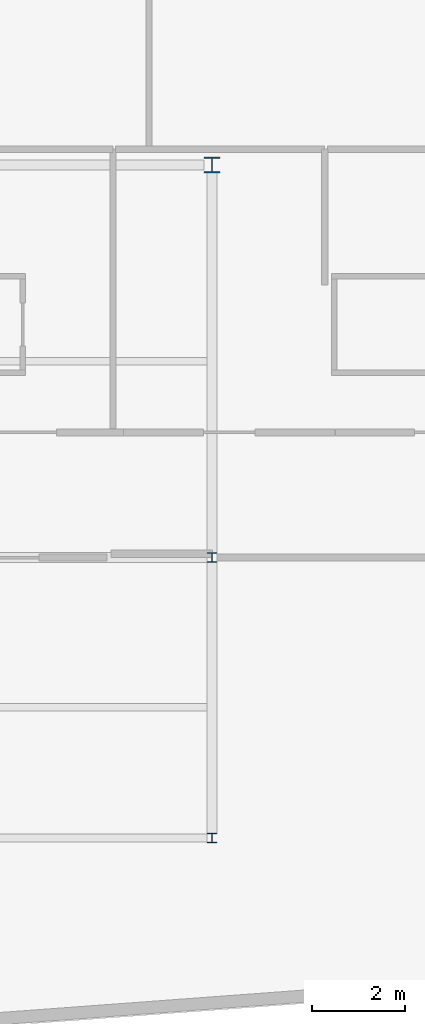
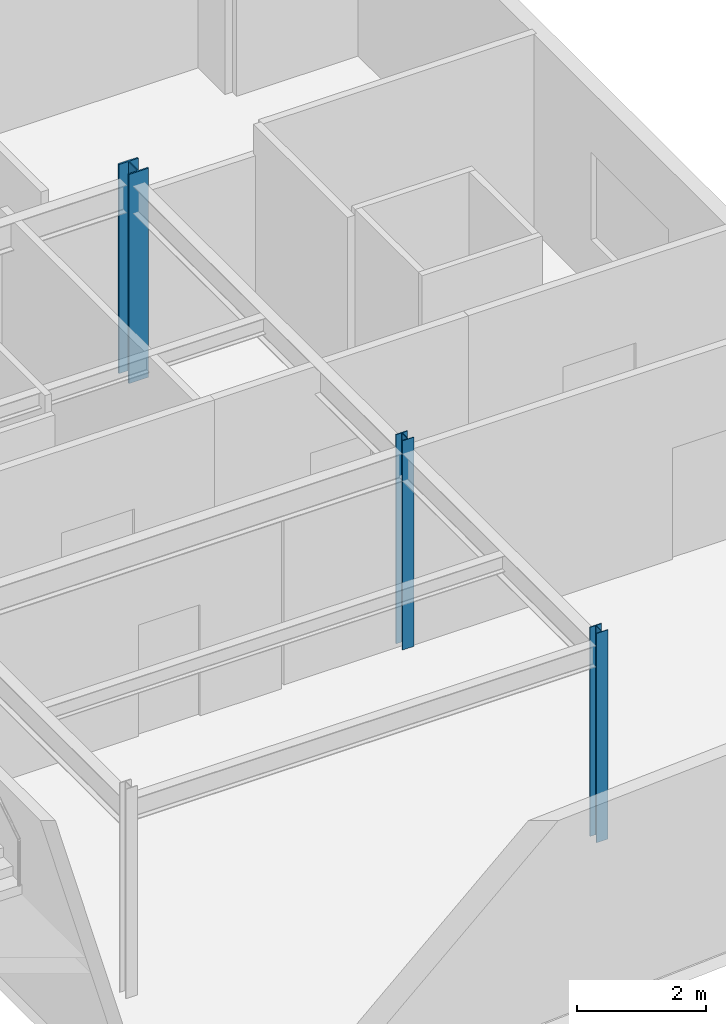
# One storey, part 3 of 15: 3 columns.
"""IFC4 building model written with IfcOpenShell, lengths in metres."""

import ifcopenshell
import ifcopenshell.guid

model = None  # the IFC model being written
_history = None  # IfcOwnerHistory: only IFC2X3 demands one
_inside = {}  # id of a spatial element -> (the spatial element, [elements in it])
_under = {}  # id of a project, library or spatial element -> (it, [spatial elements below it])
_declared = {}  # id of a project -> (the project, [libraries it declares])
_typed = {}  # id of a type object -> (the type object, [elements of that type])
_made_of = {}  # id of a material, layer set ... -> (it, [elements and type objects made of it])


def new_model(schema):
    """Start an empty IFC model of exactly this schema.

    Asked for "IFC4X3", IfcOpenShell would pick the latest addendum, in which some entities
    have other attributes; the version numbers below select the first issue.
    IFC2X3 requires an IfcOwnerHistory on every rooted entity: one is made here for all.
    """
    global model, _history
    if schema == "IFC4X3":
        model = ifcopenshell.file(schema_version=(4, 3, 0, 0))
    else:
        model = ifcopenshell.file(schema=schema)
    _inside.clear()
    _under.clear()
    _declared.clear()
    _typed.clear()
    _made_of.clear()
    _history = None
    if model.schema == "IFC2X3":
        org = make("IfcOrganization", Name="unknown")
        user = make(
            "IfcPersonAndOrganization",
            ThePerson=make("IfcPerson", FamilyName="unknown"),
            TheOrganization=org,
        )
        app = make(
            "IfcApplication",
            ApplicationDeveloper=org,
            Version="unknown",
            ApplicationFullName="unknown",
            ApplicationIdentifier="unknown",
        )
        _history = make(
            "IfcOwnerHistory",
            OwningUser=user,
            OwningApplication=app,
            ChangeAction="ADDED",
            CreationDate=0,
        )
    return model


def make(cls, **values):
    """One entity of the class cls with the attributes given. An attribute that is None is left unset."""
    return model.create_entity(
        cls, **{name: value for name, value in values.items() if value is not None}
    )


def rooted(cls, **values):
    """An entity with a GlobalId (a new one), such as an element, a storey or a relation."""
    return make(cls, GlobalId=ifcopenshell.guid.new(), OwnerHistory=_history, **values)


def si_unit(unit_type, name, prefix=None):
    """IfcSIUnit, for example si_unit("LENGTHUNIT", "METRE", prefix="MILLI")."""
    return make("IfcSIUnit", UnitType=unit_type, Prefix=prefix, Name=name)


def assignment(units):
    """IfcUnitAssignment: the units of a project."""
    return None if units is None else make("IfcUnitAssignment", Units=units)


def point(xyz):
    """IfcCartesianPoint."""
    return None if xyz is None else make("IfcCartesianPoint", Coordinates=xyz)


def direction(xyz):
    """IfcDirection."""
    return None if xyz is None else make("IfcDirection", DirectionRatios=xyz)


def frame(location, z_axis=None, x_axis=None):
    """IfcAxis2Placement3D, a coordinate frame: its origin and axes. An axis left out is left unset."""
    return make(
        "IfcAxis2Placement3D",
        Location=point(location),
        Axis=direction(z_axis),
        RefDirection=direction(x_axis),
    )


def frame_2d(location, x_axis=None):
    """IfcAxis2Placement2D, a coordinate frame in the plane: its origin and x axis."""
    return make(
        "IfcAxis2Placement2D", Location=point(location), RefDirection=direction(x_axis)
    )


def origin():
    """The frame at (0, 0, 0) with its axes left unset."""
    return frame((0.0, 0.0, 0.0))


def origin_2d():
    """The frame at (0, 0) in the plane with its x axis left unset."""
    return frame_2d((0.0, 0.0))


def place(relative_to, where):
    """IfcLocalPlacement: puts the frame where relative to a parent placement (None: the world)."""
    return make(
        "IfcLocalPlacement", PlacementRelTo=relative_to, RelativePlacement=where
    )


def context(
    kind, dimensions, precision=None, world=None, true_north=None, identifier=None
):
    """IfcGeometricRepresentationContext, for example the 3D "Model" context."""
    return make(
        "IfcGeometricRepresentationContext",
        ContextIdentifier=identifier,
        ContextType=kind,
        CoordinateSpaceDimension=dimensions,
        Precision=precision,
        WorldCoordinateSystem=world,
        TrueNorth=true_north,
    )


def subcontext(parent, identifier, kind, view, scale=None):
    """IfcGeometricRepresentationSubContext, for example "Body" below "Model"."""
    return make(
        "IfcGeometricRepresentationSubContext",
        ContextIdentifier=identifier,
        ContextType=kind,
        ParentContext=parent,
        TargetScale=scale,
        TargetView=view,
    )


def project(units=None, contexts=None):
    """IfcProject with its units and contexts."""
    return rooted(
        "IfcProject",
        Name="project",
        RepresentationContexts=contexts,
        UnitsInContext=assignment(units),
    )


def spatial(cls, under=None, at=None, **own):
    """A site, building, storey or space (cls), placed at a placement, below another one or the project."""
    s = rooted(cls, ObjectPlacement=at, **own)
    if under is not None:
        _under.setdefault(under.id(), (under, []))[1].append(s)
    return s


def profile(cls, at=None, kind="AREA", **sizes):
    """A parametric profile (cls). Its sizes go by their IFC names, for example OverallWidth=200.0."""
    return make(cls, ProfileType=kind, Position=at, **sizes)


def i_section(**sizes):
    """IfcIShapeProfileDef."""
    return profile("IfcIShapeProfileDef", **sizes)


def extrude(swept, where, along, depth):
    """IfcExtrudedAreaSolid: the profile swept, set in the frame where, extruded along a direction by depth."""
    return make(
        "IfcExtrudedAreaSolid",
        SweptArea=swept,
        Position=where,
        ExtrudedDirection=direction(along),
        Depth=depth,
    )


def shape(context_of_items, identifier, shape_type, items):
    """IfcShapeRepresentation: the items that make up one representation, for example the "Body"."""
    return make(
        "IfcShapeRepresentation",
        ContextOfItems=context_of_items,
        RepresentationIdentifier=identifier,
        RepresentationType=shape_type,
        Items=items,
    )


def material(Name=None, Category=None):
    """IfcMaterial."""
    return make("IfcMaterial", Name=Name, Category=Category)


def material_profile(
    of_material, cross_section, Name=None, Category=None, Priority=None
):
    """IfcMaterialProfile: a cross section and its material."""
    return make(
        "IfcMaterialProfile",
        Name=Name,
        Material=of_material,
        Profile=cross_section,
        Priority=Priority,
        Category=Category,
    )


def profile_set(profiles, Name=None, composite=None):
    """IfcMaterialProfileSet."""
    return make(
        "IfcMaterialProfileSet",
        Name=Name,
        MaterialProfiles=profiles,
        CompositeProfile=composite,
    )


def made_of(thing, what):
    """Note that an element or type object is made of a material, layer set ...; save() writes the relation."""
    if what is not None:
        _made_of.setdefault(what.id(), (what, []))[1].append(thing)
    return thing


def type_object(cls, material=None, **own):
    """A type object (cls), such as IfcWallType, which elements share."""
    return made_of(rooted(cls, **own), material)


def element(
    cls,
    number,
    at=None,
    inside=None,
    cuts=None,
    type_object=None,
    material=None,
    context=None,
    identifier="Body",
    shape_type=None,
    held_by="IfcProductDefinitionShape",
    body=None,
    shapes=None,
    **own,
):
    """One element of the class cls, such as IfcWall. Its Tag is "e" and its number.

    at: its placement. inside: the storey or other place that contains it. cuts: it is an
    opening in that element (IfcRelVoidsElement). A single representation is given by context,
    identifier, shape_type and body (its items); several are given by shapes. held_by: the class
    of the entity that holds the representations. save() writes the other relations.
    """
    e = rooted(cls, Tag="e%d" % number, ObjectPlacement=at, **own)
    if body is not None:
        shapes = [shape(context, identifier, shape_type, body)]
    if shapes is not None:
        e.Representation = make(held_by, Representations=shapes)
    if inside is not None:
        _inside.setdefault(inside.id(), (inside, []))[1].append(e)
    if cuts is not None:
        rooted(
            "IfcRelVoidsElement", RelatingBuildingElement=cuts, RelatedOpeningElement=e
        )
    if type_object is not None:
        _typed.setdefault(type_object.id(), (type_object, []))[1].append(e)
    return made_of(e, material)


def aggregate(whole, parts):
    """IfcRelAggregates: a whole, such as a stair, and the parts it consists of."""
    return rooted("IfcRelAggregates", RelatingObject=whole, RelatedObjects=parts)


def save(model, path):
    """Write the relations noted so far, then the file.

    IfcRelAggregates (storeys below a building ...), IfcRelContainedInSpatialStructure (elements
    in a storey), IfcRelDefinesByType, IfcRelAssociatesMaterial and IfcRelDeclares: one each for
    every whole, place, type object, material and project.
    """
    for whole, parts in _under.values():
        aggregate(whole, parts)
    for where, things in _inside.values():
        rooted(
            "IfcRelContainedInSpatialStructure",
            RelatedElements=things,
            RelatingStructure=where,
        )
    for kind, things in _typed.values():
        rooted("IfcRelDefinesByType", RelatedObjects=things, RelatingType=kind)
    for what, things in _made_of.values():
        rooted("IfcRelAssociatesMaterial", RelatedObjects=things, RelatingMaterial=what)
    for by, libraries in _declared.values():
        rooted("IfcRelDeclares", RelatingContext=by, RelatedDefinitions=libraries)
    model.write(path)


model = new_model("IFC4")

# Units and contexts
model_context = context("Model", 3, precision=1e-05, world=origin(), true_north=direction((0.0, 1.0)))
body_context = subcontext(model_context, "Body", "Model", "MODEL_VIEW")
ifc_project = project(units=[si_unit("LENGTHUNIT", "METRE"), si_unit("AREAUNIT", "SQUARE_METRE"), si_unit("VOLUMEUNIT", "CUBIC_METRE"), si_unit("PLANEANGLEUNIT", "RADIAN"), si_unit("MASSUNIT", "GRAM", prefix="KILO")], contexts=[model_context])

# Site, building, storey
site_placement = place(None, origin())
site = spatial("IfcSite", under=ifc_project, at=site_placement, CompositionType="ELEMENT")
building_placement = place(site_placement, origin())
building = spatial("IfcBuilding", under=site, at=building_placement, Name="Varnakote Quay Hospital", CompositionType="ELEMENT")
storey_placement = place(building_placement, frame((0.0, 0.0, 284.199951171875)))
storey = spatial("IfcBuildingStorey", under=building, at=storey_placement, Name="L70", CompositionType="ELEMENT", Elevation=284.199951171875)

# Columns
ifc_material_1 = material(Name="Structural steel AS/NZS 3679.1 Grade 350 L0 (fy 340 MPa)", Category="steel")
ifc_material_profile_1 = material_profile(ifc_material_1, i_section(OverallWidth=0.205078125, OverallDepth=0.2099609375, WebThickness=0.00927734375, FlangeThickness=0.01416015625, FilletRadius=0.011474609375, at=origin_2d()), Name="200UC59.5")
ifc_profile_set_1 = profile_set([ifc_material_profile_1], Name="Structural steel AS/NZS 3679.1 Grade 350 L0 (fy 340 MPa)")
column_type_1 = type_object("IfcColumnType", Name="COL-STL-200UC59-5", PredefinedType="COLUMN", material=ifc_profile_set_1)
for number, where, z_axis, x_axis, name in (
    (1, (33.60009765625, 6.0, 0.0), (0.0, 0.0, 1.0), (1.0, 0.0, 0.0), "L70 Structural Column C-34-6"),
    (2, (33.60009765625, 12.0, 0.0), (0.0, 0.0, 1.0), (1.0, 0.0, 0.0), "L70 Structural Column C-34-12"),
):
    element("IfcColumn", number, at=place(storey_placement, frame(where, z_axis=z_axis, x_axis=x_axis)), inside=storey, type_object=column_type_1, Name=name, PredefinedType="COLUMN", context=body_context, shape_type="SweptSolid", body=[
        extrude(i_section(OverallWidth=0.205078125, OverallDepth=0.2099609375, WebThickness=0.00927734375, FlangeThickness=0.01416015625, FilletRadius=0.011474609375, at=origin_2d()), origin(), (0.0, 0.0, 1.0), 3.949951171875),
    ])
ifc_material_2 = material(Name="Structural steel AS/NZS 3678 Grade 350 (fy 340 MPa)", Category="steel")
ifc_material_profile_2 = material_profile(ifc_material_2, i_section(OverallWidth=0.35009765625, OverallDepth=0.340087890625, WebThickness=0.01611328125, FlangeThickness=0.028076171875, at=origin_2d()), Name="350WC197")
ifc_profile_set_2 = profile_set([ifc_material_profile_2], Name="Structural steel AS/NZS 3678 Grade 350 (fy 340 MPa)")
column_type_2 = type_object("IfcColumnType", Name="COL-STL-350WC197", PredefinedType="COLUMN", material=ifc_profile_set_2)
column_placement = place(storey_placement, frame((33.60009765625, 20.39990234375, 0.0), z_axis=(0.0, 0.0, 1.0), x_axis=(1.0, 0.0, 0.0)))
element("IfcColumn", 3, at=column_placement, inside=storey, type_object=column_type_2, Name="L70 Structural Column C-34-20", PredefinedType="COLUMN", context=body_context, shape_type="SweptSolid", body=[
    extrude(i_section(OverallWidth=0.35009765625, OverallDepth=0.340087890625, WebThickness=0.01611328125, FlangeThickness=0.028076171875, at=origin_2d()), origin(), (0.0, 0.0, 1.0), 3.949951171875),
])

save(model, "model.ifc")
